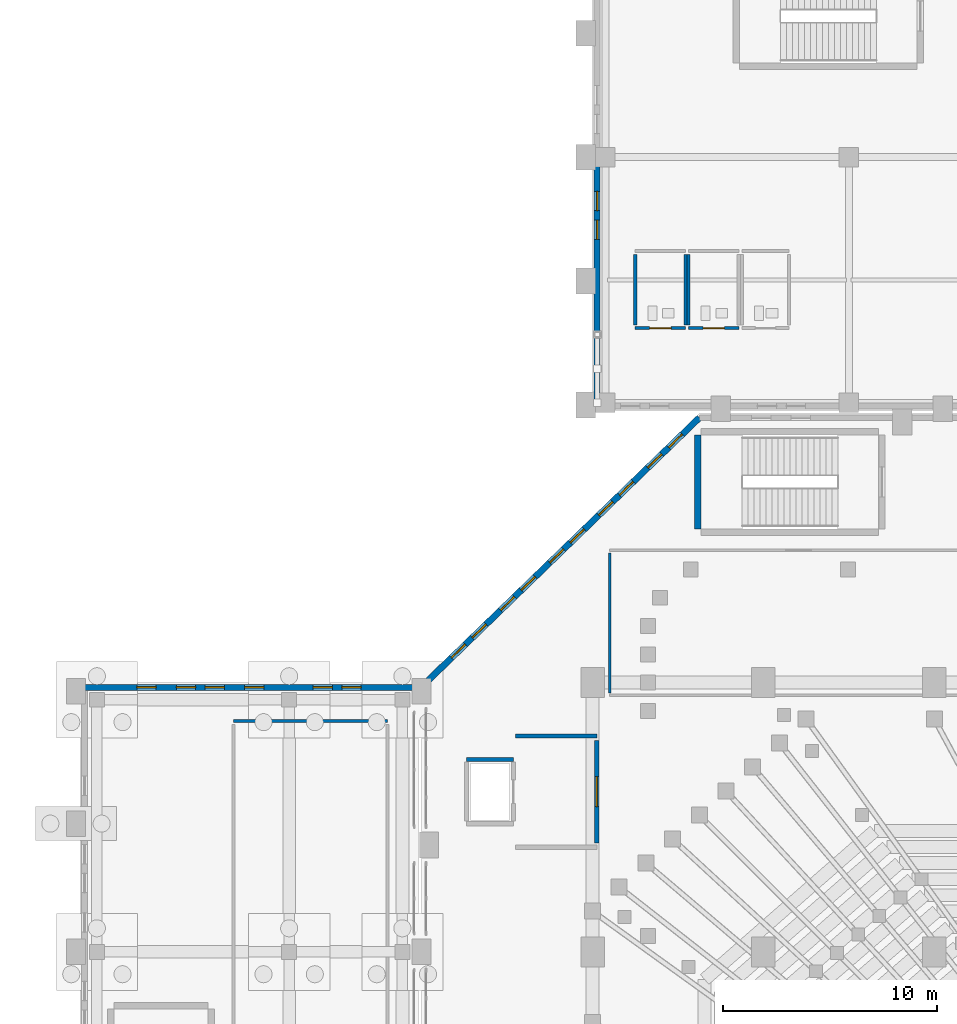
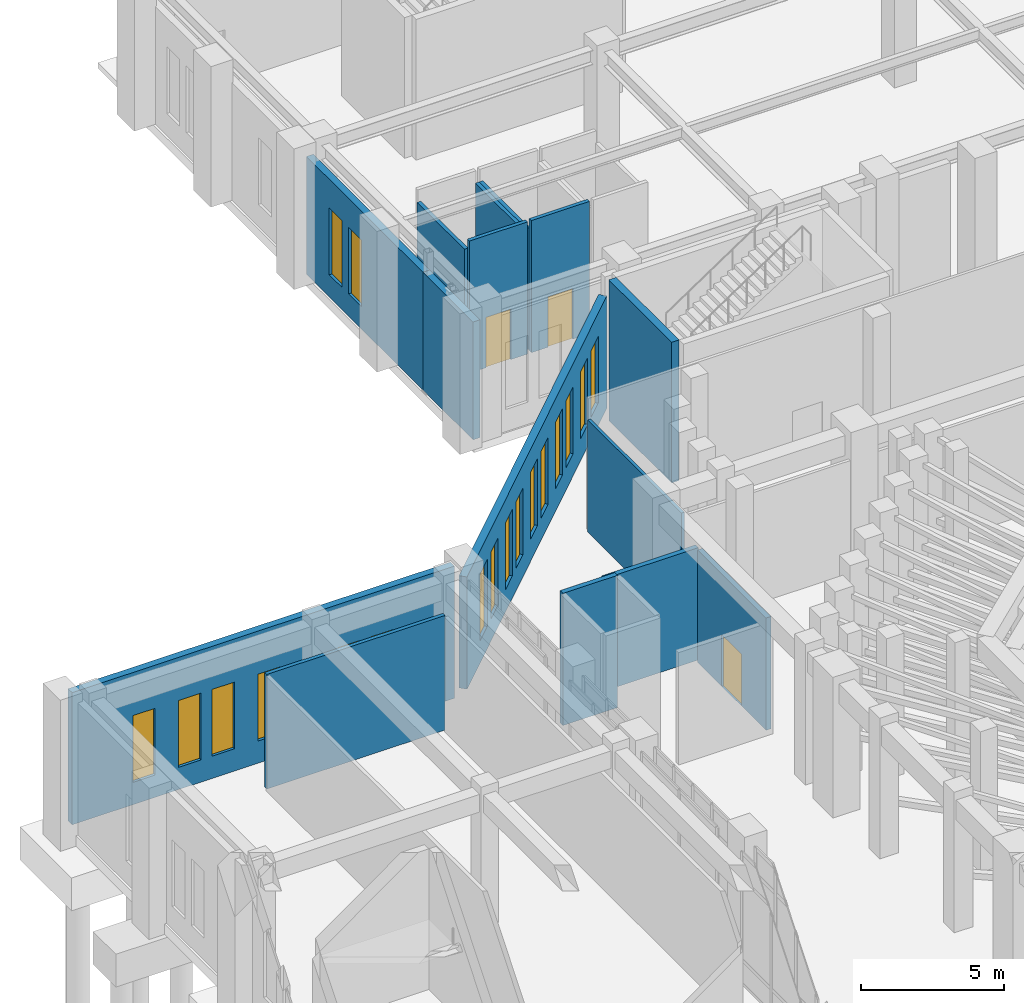
# One storey, part 111 of 143: 18 windows, 15 walls, 3 doors, 21 openings.
"""IFC4 building model written with IfcOpenShell, lengths in metres."""

from ifc_helpers import new_model, si_unit, derived_unit, direction, frame, frame_2d, origin, place, context, subcontext, project, spatial, rectangle, extrude, material, layer, layer_set, type_object, element, fill, save


model = new_model("IFC4")

# Units and contexts
model_context = context("Model", 3, precision=1e-05, world=origin(), true_north=direction((0.0, 1.0)))
body_context = subcontext(model_context, "Body", "Model", "MODEL_VIEW")
ifc_project = project(units=[si_unit("LENGTHUNIT", "METRE"), si_unit("AREAUNIT", "SQUARE_METRE"), si_unit("VOLUMEUNIT", "CUBIC_METRE"), si_unit("PLANEANGLEUNIT", "RADIAN"), si_unit("MASSUNIT", "GRAM", prefix="KILO"), derived_unit("THERMALTRANSMITTANCEUNIT", [(si_unit("MASSUNIT", "GRAM", prefix="KILO"), 1), (si_unit("TIMEUNIT", "SECOND"), -3), (si_unit("THERMODYNAMICTEMPERATUREUNIT", "KELVIN"), -1)])], contexts=[model_context])

# Site, building, storey
site_placement = place(None, origin())
site = spatial("IfcSite", under=ifc_project, at=site_placement, CompositionType="ELEMENT")
building_placement = place(site_placement, origin())
building = spatial("IfcBuilding", under=site, at=building_placement, Name="Valcora Ridge Arena", CompositionType="ELEMENT")
storey_placement = place(building_placement, origin())
storey = spatial("IfcBuildingStorey", under=building, at=storey_placement, Name="L00", CompositionType="ELEMENT", Elevation=0.0)

# Wall
ifc_material_1 = material(Name="Bush-hammered Andean travertine on concrete backup C40/50", Category="masonry")
ifc_layer_1 = layer(ifc_material_1, 0.280029296875, Name="Bush-hammered Andean travertine on concrete backup C40/50")
ifc_layer_set_1 = layer_set([ifc_layer_1], Name="Bush-hammered Andean travertine on concrete backup C40/50")
wall_type_1 = type_object("IfcWallType", Name="TY-WALL-EW-TRV-28-50", PredefinedType="STANDARD", material=ifc_layer_set_1)
wall_1_placement = place(storey_placement, frame((24.219970703125, 108.550048828125, 0.0), z_axis=(0.0, 0.0, 1.0), x_axis=(0.0, 1.0, 0.0)))
element("IfcWall", 1, at=wall_1_placement, inside=storey, type_object=wall_type_1, Name="EW-TRV-28-50 WAL-EW-0126", PredefinedType="STANDARD", context=body_context, shape_type="SweptSolid", body=[
    extrude(rectangle(XDim=3.5, YDim=0.280029296875, at=frame_2d((1.75, 0.0))), origin(), (0.0, 0.0, 1.0), 5.028076171875),
])

# Wall, openings, windows
wall_2_placement = place(storey_placement, frame((24.219970703125, 112.050048828125, 0.0), z_axis=(0.0, 0.0, 1.0), x_axis=(0.0, 1.0, 0.0)))
wall_2 = element("IfcWall", 2, at=wall_2_placement, inside=storey, type_object=wall_type_1, Name="EW-TRV-28-50 WAL-EW-0127", PredefinedType="STANDARD", context=body_context, shape_type="SweptSolid", body=[
    extrude(rectangle(XDim=8.14990234375, YDim=0.280029296875, at=frame_2d((4.074951171875, 0.0))), origin(), (0.0, 0.0, 1.0), 5.028076171875),
])
opening_1_placement = place(wall_2_placement, frame((4.300048828125, 0.0, 0.949951171875)))
opening_1 = element("IfcOpeningElement", 3, at=opening_1_placement, cuts=wall_2, Name="Opening W-GLAN-90X285", PredefinedType="OPENING", context=body_context, shape_type="SweptSolid", body=[
    extrude(rectangle(XDim=0.89990234375, YDim=2.85009765625, at=frame_2d((0.449951171875, 1.425048828125))), frame((0.0, 0.14990234375, 0.0), z_axis=(0.0, -1.0, 0.0), x_axis=(1.0, 0.0, 0.0)), (0.0, 0.0, 1.0), 0.300048828125),
])
opening_2_placement = place(wall_2_placement, frame((5.64990234375, 0.0, 0.949951171875)))
opening_2 = element("IfcOpeningElement", 4, at=opening_2_placement, cuts=wall_2, Name="Opening W-GLAN-90X285", PredefinedType="OPENING", context=body_context, shape_type="SweptSolid", body=[
    extrude(rectangle(XDim=0.89990234375, YDim=2.85009765625, at=frame_2d((0.449951171875, 1.425048828125))), frame((0.0, 0.14990234375, 0.0), z_axis=(0.0, -1.0, 0.0), x_axis=(1.0, 0.0, 0.0)), (0.0, 0.0, 1.0), 0.300048828125),
])
ifc_material_2 = material(Name="Low-iron solar-control double glazing SHGC 0.28", Category="glass")
window_type = type_object("IfcWindowType", Name="TY-WINDOW-W-GLAN-90X285", PartitioningType="DOUBLE_PANEL_VERTICAL", PredefinedType="WINDOW", material=ifc_material_2)
window_1_placement = place(opening_1_placement, origin())
window_1 = element("IfcWindow", 5, at=window_1_placement, inside=storey, type_object=window_type, Name="W-GLAN-90X285 WIN-EX-0376", OverallHeight=2.85009765625, OverallWidth=0.89990234375, PartitioningType="DOUBLE_PANEL_VERTICAL", PredefinedType="WINDOW", context=body_context, shape_type="SweptSolid", body=[
    extrude(rectangle(XDim=0.89990234375, YDim=2.85009765625, at=frame_2d((0.449951171875, 1.425048828125))), frame((0.0, 0.030029296875, 0.0), z_axis=(0.0, -1.0, 0.0), x_axis=(1.0, 0.0, 0.0)), (0.0, 0.0, 1.0), 0.06005859375),
])
fill(opening_1, window_1)
window_2_placement = place(opening_2_placement, origin())
window_2 = element("IfcWindow", 6, at=window_2_placement, inside=storey, type_object=window_type, Name="W-GLAN-90X285 WIN-EX-0377", OverallHeight=2.85009765625, OverallWidth=0.89990234375, PartitioningType="DOUBLE_PANEL_VERTICAL", PredefinedType="WINDOW", context=body_context, shape_type="SweptSolid", body=[
    extrude(rectangle(XDim=0.89990234375, YDim=2.85009765625, at=frame_2d((0.449951171875, 1.425048828125))), frame((0.0, 0.030029296875, 0.0), z_axis=(0.0, -1.0, 0.0), x_axis=(1.0, 0.0, 0.0)), (0.0, 0.0, 1.0), 0.06005859375),
])
fill(opening_2, window_2)

ifc_layer_2 = layer(ifc_material_1, 0.280029296875, Name="Bush-hammered Andean travertine on concrete backup C40/50")
ifc_layer_set_2 = layer_set([ifc_layer_2], Name="Bush-hammered Andean travertine on concrete backup C40/50")
wall_type_2 = type_object("IfcWallType", Name="TY-WALL-EW-TRV-28-56", PredefinedType="STANDARD", material=ifc_layer_set_2)
wall_3_placement = place(storey_placement, frame((0.219970703125, 95.3798828125, 0.0), z_axis=(0.0, 0.0, 1.0), x_axis=(1.0, 0.0, 0.0)))
wall_3 = element("IfcWall", 7, at=wall_3_placement, inside=storey, type_object=wall_type_2, Name="EW-TRV-28-56 WAL-EW-0076", PredefinedType="STANDARD", context=body_context, shape_type="SweptSolid", body=[
    extrude(rectangle(XDim=15.429931640625, YDim=0.280029296875, at=frame_2d((7.71484375, 0.0))), origin(), (0.0, 0.0, 1.0), 5.639892578125),
])
opening_3_placement = place(wall_3_placement, frame((2.449951171875, 0.0, 0.949951171875)))
opening_3 = element("IfcOpeningElement", 8, at=opening_3_placement, cuts=wall_3, Name="Opening W-GLAN-90X285", PredefinedType="OPENING", context=body_context, shape_type="SweptSolid", body=[
    extrude(rectangle(XDim=0.89990234375, YDim=2.85009765625, at=frame_2d((0.449951171875, 1.425048828125))), frame((0.0, 0.14990234375, 0.0), z_axis=(0.0, -1.0, 0.0), x_axis=(1.0, 0.0, 0.0)), (0.0, 0.0, 1.0), 0.300048828125),
])
opening_4_placement = place(wall_3_placement, frame((4.300048828125, 0.0, 0.949951171875)))
opening_4 = element("IfcOpeningElement", 9, at=opening_4_placement, cuts=wall_3, Name="Opening W-GLAN-90X285", PredefinedType="OPENING", context=body_context, shape_type="SweptSolid", body=[
    extrude(rectangle(XDim=0.89990234375, YDim=2.85009765625, at=frame_2d((0.449951171875, 1.425048828125))), frame((0.0, 0.14990234375, 0.0), z_axis=(0.0, -1.0, 0.0), x_axis=(1.0, 0.0, 0.0)), (0.0, 0.0, 1.0), 0.300048828125),
])
opening_5_placement = place(wall_3_placement, frame((5.64990234375, 0.0, 0.949951171875)))
opening_5 = element("IfcOpeningElement", 10, at=opening_5_placement, cuts=wall_3, Name="Opening W-GLAN-90X285", PredefinedType="OPENING", context=body_context, shape_type="SweptSolid", body=[
    extrude(rectangle(XDim=0.89990234375, YDim=2.85009765625, at=frame_2d((0.449951171875, 1.425048828125))), frame((0.0, 0.14990234375, 0.0), z_axis=(0.0, -1.0, 0.0), x_axis=(1.0, 0.0, 0.0)), (0.0, 0.0, 1.0), 0.300048828125),
])
opening_6_placement = place(wall_3_placement, frame((7.5, 0.0, 0.949951171875)))
opening_6 = element("IfcOpeningElement", 11, at=opening_6_placement, cuts=wall_3, Name="Opening W-GLAN-90X285", PredefinedType="OPENING", context=body_context, shape_type="SweptSolid", body=[
    extrude(rectangle(XDim=0.89990234375, YDim=2.85009765625, at=frame_2d((0.449951171875, 1.425048828125))), frame((0.0, 0.14990234375, 0.0), z_axis=(0.0, -1.0, 0.0), x_axis=(1.0, 0.0, 0.0)), (0.0, 0.0, 1.0), 0.300048828125),
])
opening_7_placement = place(wall_3_placement, frame((10.699951171875, 0.0, 0.949951171875)))
opening_7 = element("IfcOpeningElement", 12, at=opening_7_placement, cuts=wall_3, Name="Opening W-GLAN-90X285", PredefinedType="OPENING", context=body_context, shape_type="SweptSolid", body=[
    extrude(rectangle(XDim=0.89990234375, YDim=2.85009765625, at=frame_2d((0.449951171875, 1.425048828125))), frame((0.0, 0.14990234375, 0.0), z_axis=(0.0, -1.0, 0.0), x_axis=(1.0, 0.0, 0.0)), (0.0, 0.0, 1.0), 0.300048828125),
])
opening_8_placement = place(wall_3_placement, frame((12.050048828125, 0.0, 0.949951171875)))
opening_8 = element("IfcOpeningElement", 13, at=opening_8_placement, cuts=wall_3, Name="Opening W-GLAN-90X285", PredefinedType="OPENING", context=body_context, shape_type="SweptSolid", body=[
    extrude(rectangle(XDim=0.89990234375, YDim=2.85009765625, at=frame_2d((0.449951171875, 1.425048828125))), frame((0.0, 0.14990234375, 0.0), z_axis=(0.0, -1.0, 0.0), x_axis=(1.0, 0.0, 0.0)), (0.0, 0.0, 1.0), 0.300048828125),
])
window_3_placement = place(opening_3_placement, origin())
window_3 = element("IfcWindow", 14, at=window_3_placement, inside=storey, type_object=window_type, Name="W-GLAN-90X285 WIN-EX-0201", OverallHeight=2.85009765625, OverallWidth=0.89990234375, PartitioningType="DOUBLE_PANEL_VERTICAL", PredefinedType="WINDOW", context=body_context, shape_type="SweptSolid", body=[
    extrude(rectangle(XDim=0.89990234375, YDim=2.85009765625, at=frame_2d((0.449951171875, 1.425048828125))), frame((0.0, 0.030029296875, 0.0), z_axis=(0.0, -1.0, 0.0), x_axis=(1.0, 0.0, 0.0)), (0.0, 0.0, 1.0), 0.06005859375),
])
fill(opening_3, window_3)
window_4_placement = place(opening_4_placement, origin())
window_4 = element("IfcWindow", 15, at=window_4_placement, inside=storey, type_object=window_type, Name="W-GLAN-90X285 WIN-EX-0202", OverallHeight=2.85009765625, OverallWidth=0.89990234375, PartitioningType="DOUBLE_PANEL_VERTICAL", PredefinedType="WINDOW", context=body_context, shape_type="SweptSolid", body=[
    extrude(rectangle(XDim=0.89990234375, YDim=2.85009765625, at=frame_2d((0.449951171875, 1.425048828125))), frame((0.0, 0.030029296875, 0.0), z_axis=(0.0, -1.0, 0.0), x_axis=(1.0, 0.0, 0.0)), (0.0, 0.0, 1.0), 0.06005859375),
])
fill(opening_4, window_4)
window_5_placement = place(opening_5_placement, origin())
window_5 = element("IfcWindow", 16, at=window_5_placement, inside=storey, type_object=window_type, Name="W-GLAN-90X285 WIN-EX-0203", OverallHeight=2.85009765625, OverallWidth=0.89990234375, PartitioningType="DOUBLE_PANEL_VERTICAL", PredefinedType="WINDOW", context=body_context, shape_type="SweptSolid", body=[
    extrude(rectangle(XDim=0.89990234375, YDim=2.85009765625, at=frame_2d((0.449951171875, 1.425048828125))), frame((0.0, 0.030029296875, 0.0), z_axis=(0.0, -1.0, 0.0), x_axis=(1.0, 0.0, 0.0)), (0.0, 0.0, 1.0), 0.06005859375),
])
fill(opening_5, window_5)
window_6_placement = place(opening_6_placement, origin())
window_6 = element("IfcWindow", 17, at=window_6_placement, inside=storey, type_object=window_type, Name="W-GLAN-90X285 WIN-EX-0204", OverallHeight=2.85009765625, OverallWidth=0.89990234375, PartitioningType="DOUBLE_PANEL_VERTICAL", PredefinedType="WINDOW", context=body_context, shape_type="SweptSolid", body=[
    extrude(rectangle(XDim=0.89990234375, YDim=2.85009765625, at=frame_2d((0.449951171875, 1.425048828125))), frame((0.0, 0.030029296875, 0.0), z_axis=(0.0, -1.0, 0.0), x_axis=(1.0, 0.0, 0.0)), (0.0, 0.0, 1.0), 0.06005859375),
])
fill(opening_6, window_6)
window_7_placement = place(opening_7_placement, origin())
window_7 = element("IfcWindow", 18, at=window_7_placement, inside=storey, type_object=window_type, Name="W-GLAN-90X285 WIN-EX-0205", OverallHeight=2.85009765625, OverallWidth=0.89990234375, PartitioningType="DOUBLE_PANEL_VERTICAL", PredefinedType="WINDOW", context=body_context, shape_type="SweptSolid", body=[
    extrude(rectangle(XDim=0.89990234375, YDim=2.85009765625, at=frame_2d((0.449951171875, 1.425048828125))), frame((0.0, 0.030029296875, 0.0), z_axis=(0.0, -1.0, 0.0), x_axis=(1.0, 0.0, 0.0)), (0.0, 0.0, 1.0), 0.06005859375),
])
fill(opening_7, window_7)
window_8_placement = place(opening_8_placement, origin())
window_8 = element("IfcWindow", 19, at=window_8_placement, inside=storey, type_object=window_type, Name="W-GLAN-90X285 WIN-EX-0206", OverallHeight=2.85009765625, OverallWidth=0.89990234375, PartitioningType="DOUBLE_PANEL_VERTICAL", PredefinedType="WINDOW", context=body_context, shape_type="SweptSolid", body=[
    extrude(rectangle(XDim=0.89990234375, YDim=2.85009765625, at=frame_2d((0.449951171875, 1.425048828125))), frame((0.0, 0.030029296875, 0.0), z_axis=(0.0, -1.0, 0.0), x_axis=(1.0, 0.0, 0.0)), (0.0, 0.0, 1.0), 0.06005859375),
])
fill(opening_8, window_8)

ifc_layer_3 = layer(ifc_material_1, 0.300048828125, Name="Bush-hammered Andean travertine on concrete backup C40/50")
ifc_layer_set_3 = layer_set([ifc_layer_3], Name="Bush-hammered Andean travertine on concrete backup C40/50")
wall_type_3 = type_object("IfcWallType", Name="TY-WALL-EW-TRV-30-48", PredefinedType="STANDARD", material=ifc_layer_set_3)
wall_4_placement = place(storey_placement, frame((29.0, 108.0, 0.0), z_axis=(0.0, 0.0, 1.0), x_axis=(-0.718244287729, -0.695791019736, 0.0)))
wall_4 = element("IfcWall", 20, at=wall_4_placement, inside=storey, type_object=wall_type_3, Name="EW-TRV-30-48 WAL-EW-0028", PredefinedType="STANDARD", context=body_context, shape_type="SweptSolid", body=[
    extrude(rectangle(XDim=17.8212890625, YDim=0.300048828125, at=frame_2d((8.91064453125, 0.0))), origin(), (0.0, 0.0, 1.0), 4.7900390625),
])
opening_9_placement = place(wall_4_placement, frame((1.10009765625, 0.0, 0.949951171875)))
opening_9 = element("IfcOpeningElement", 21, at=opening_9_placement, cuts=wall_4, Name="Opening W-GLAN-90X285", PredefinedType="OPENING", context=body_context, shape_type="SweptSolid", body=[
    extrude(rectangle(XDim=0.89990234375, YDim=2.85009765625, at=frame_2d((0.449951171875, 1.425048828125))), frame((0.0, 0.159912109375, 0.0), z_axis=(0.0, -1.0, 0.0), x_axis=(1.0, 0.0, 0.0)), (0.0, 0.0, 1.0), 0.320068359375),
])
opening_10_placement = place(wall_4_placement, frame((2.449951171875, 0.0, 0.949951171875)))
opening_10 = element("IfcOpeningElement", 22, at=opening_10_placement, cuts=wall_4, Name="Opening W-GLAN-90X285", PredefinedType="OPENING", context=body_context, shape_type="SweptSolid", body=[
    extrude(rectangle(XDim=0.89990234375, YDim=2.85009765625, at=frame_2d((0.449951171875, 1.425048828125))), frame((0.0, 0.159912109375, 0.0), z_axis=(0.0, -1.0, 0.0), x_axis=(1.0, 0.0, 0.0)), (0.0, 0.0, 1.0), 0.320068359375),
])
opening_11_placement = place(wall_4_placement, frame((4.300048828125, 0.0, 0.949951171875)))
opening_11 = element("IfcOpeningElement", 23, at=opening_11_placement, cuts=wall_4, Name="Opening W-GLAN-90X285", PredefinedType="OPENING", context=body_context, shape_type="SweptSolid", body=[
    extrude(rectangle(XDim=0.89990234375, YDim=2.85009765625, at=frame_2d((0.449951171875, 1.425048828125))), frame((0.0, 0.159912109375, 0.0), z_axis=(0.0, -1.0, 0.0), x_axis=(1.0, 0.0, 0.0)), (0.0, 0.0, 1.0), 0.320068359375),
])
opening_12_placement = place(wall_4_placement, frame((5.64990234375, 0.0, 0.949951171875)))
opening_12 = element("IfcOpeningElement", 24, at=opening_12_placement, cuts=wall_4, Name="Opening W-GLAN-90X285", PredefinedType="OPENING", context=body_context, shape_type="SweptSolid", body=[
    extrude(rectangle(XDim=0.89990234375, YDim=2.85009765625, at=frame_2d((0.449951171875, 1.425048828125))), frame((0.0, 0.159912109375, 0.0), z_axis=(0.0, -1.0, 0.0), x_axis=(1.0, 0.0, 0.0)), (0.0, 0.0, 1.0), 0.320068359375),
])
opening_13_placement = place(wall_4_placement, frame((7.5, 0.0, 0.949951171875)))
opening_13 = element("IfcOpeningElement", 25, at=opening_13_placement, cuts=wall_4, Name="Opening W-GLAN-90X285", PredefinedType="OPENING", context=body_context, shape_type="SweptSolid", body=[
    extrude(rectangle(XDim=0.89990234375, YDim=2.85009765625, at=frame_2d((0.449951171875, 1.425048828125))), frame((0.0, 0.159912109375, 0.0), z_axis=(0.0, -1.0, 0.0), x_axis=(1.0, 0.0, 0.0)), (0.0, 0.0, 1.0), 0.320068359375),
])
opening_14_placement = place(wall_4_placement, frame((8.85009765625, 0.0, 0.949951171875)))
opening_14 = element("IfcOpeningElement", 26, at=opening_14_placement, cuts=wall_4, Name="Opening W-GLAN-90X285", PredefinedType="OPENING", context=body_context, shape_type="SweptSolid", body=[
    extrude(rectangle(XDim=0.89990234375, YDim=2.85009765625, at=frame_2d((0.449951171875, 1.425048828125))), frame((0.0, 0.159912109375, 0.0), z_axis=(0.0, -1.0, 0.0), x_axis=(1.0, 0.0, 0.0)), (0.0, 0.0, 1.0), 0.320068359375),
])
opening_15_placement = place(wall_4_placement, frame((10.699951171875, 0.0, 0.949951171875)))
opening_15 = element("IfcOpeningElement", 27, at=opening_15_placement, cuts=wall_4, Name="Opening W-GLAN-90X285", PredefinedType="OPENING", context=body_context, shape_type="SweptSolid", body=[
    extrude(rectangle(XDim=0.89990234375, YDim=2.85009765625, at=frame_2d((0.449951171875, 1.425048828125))), frame((0.0, 0.159912109375, 0.0), z_axis=(0.0, -1.0, 0.0), x_axis=(1.0, 0.0, 0.0)), (0.0, 0.0, 1.0), 0.320068359375),
])
opening_16_placement = place(wall_4_placement, frame((12.050048828125, 0.0, 0.949951171875)))
opening_16 = element("IfcOpeningElement", 28, at=opening_16_placement, cuts=wall_4, Name="Opening W-GLAN-90X285", PredefinedType="OPENING", context=body_context, shape_type="SweptSolid", body=[
    extrude(rectangle(XDim=0.89990234375, YDim=2.85009765625, at=frame_2d((0.449951171875, 1.425048828125))), frame((0.0, 0.159912109375, 0.0), z_axis=(0.0, -1.0, 0.0), x_axis=(1.0, 0.0, 0.0)), (0.0, 0.0, 1.0), 0.320068359375),
])
opening_17_placement = place(wall_4_placement, frame((13.89990234375, 0.0, 0.949951171875)))
opening_17 = element("IfcOpeningElement", 29, at=opening_17_placement, cuts=wall_4, Name="Opening W-GLAN-90X285", PredefinedType="OPENING", context=body_context, shape_type="SweptSolid", body=[
    extrude(rectangle(XDim=0.89990234375, YDim=2.85009765625, at=frame_2d((0.449951171875, 1.425048828125))), frame((0.0, 0.159912109375, 0.0), z_axis=(0.0, -1.0, 0.0), x_axis=(1.0, 0.0, 0.0)), (0.0, 0.0, 1.0), 0.320068359375),
])
opening_18_placement = place(wall_4_placement, frame((15.25, 0.0, 0.949951171875)))
opening_18 = element("IfcOpeningElement", 30, at=opening_18_placement, cuts=wall_4, Name="Opening W-GLAN-90X285", PredefinedType="OPENING", context=body_context, shape_type="SweptSolid", body=[
    extrude(rectangle(XDim=0.89990234375, YDim=2.85009765625, at=frame_2d((0.449951171875, 1.425048828125))), frame((0.0, 0.159912109375, 0.0), z_axis=(0.0, -1.0, 0.0), x_axis=(1.0, 0.0, 0.0)), (0.0, 0.0, 1.0), 0.320068359375),
])
window_9_placement = place(opening_9_placement, origin())
window_9 = element("IfcWindow", 31, at=window_9_placement, inside=storey, type_object=window_type, Name="W-GLAN-90X285 WIN-EX-0040", OverallHeight=2.85009765625, OverallWidth=0.89990234375, PartitioningType="DOUBLE_PANEL_VERTICAL", PredefinedType="WINDOW", context=body_context, shape_type="SweptSolid", body=[
    extrude(rectangle(XDim=0.89990234375, YDim=2.85009765625, at=frame_2d((0.449951171875, 1.425048828125))), frame((0.0, 0.030029296875, 0.0), z_axis=(0.0, -1.0, 0.0), x_axis=(1.0, 0.0, 0.0)), (0.0, 0.0, 1.0), 0.06005859375),
])
fill(opening_9, window_9)
window_10_placement = place(opening_10_placement, origin())
window_10 = element("IfcWindow", 32, at=window_10_placement, inside=storey, type_object=window_type, Name="W-GLAN-90X285 WIN-EX-0041", OverallHeight=2.85009765625, OverallWidth=0.89990234375, PartitioningType="DOUBLE_PANEL_VERTICAL", PredefinedType="WINDOW", context=body_context, shape_type="SweptSolid", body=[
    extrude(rectangle(XDim=0.89990234375, YDim=2.85009765625, at=frame_2d((0.449951171875, 1.425048828125))), frame((0.0, 0.030029296875, 0.0), z_axis=(0.0, -1.0, 0.0), x_axis=(1.0, 0.0, 0.0)), (0.0, 0.0, 1.0), 0.06005859375),
])
fill(opening_10, window_10)
window_11_placement = place(opening_11_placement, origin())
window_11 = element("IfcWindow", 33, at=window_11_placement, inside=storey, type_object=window_type, Name="W-GLAN-90X285 WIN-EX-0042", OverallHeight=2.85009765625, OverallWidth=0.89990234375, PartitioningType="DOUBLE_PANEL_VERTICAL", PredefinedType="WINDOW", context=body_context, shape_type="SweptSolid", body=[
    extrude(rectangle(XDim=0.89990234375, YDim=2.85009765625, at=frame_2d((0.449951171875, 1.425048828125))), frame((0.0, 0.030029296875, 0.0), z_axis=(0.0, -1.0, 0.0), x_axis=(1.0, 0.0, 0.0)), (0.0, 0.0, 1.0), 0.06005859375),
])
fill(opening_11, window_11)
window_12_placement = place(opening_12_placement, origin())
window_12 = element("IfcWindow", 34, at=window_12_placement, inside=storey, type_object=window_type, Name="W-GLAN-90X285 WIN-EX-0043", OverallHeight=2.85009765625, OverallWidth=0.89990234375, PartitioningType="DOUBLE_PANEL_VERTICAL", PredefinedType="WINDOW", context=body_context, shape_type="SweptSolid", body=[
    extrude(rectangle(XDim=0.89990234375, YDim=2.85009765625, at=frame_2d((0.449951171875, 1.425048828125))), frame((0.0, 0.030029296875, 0.0), z_axis=(0.0, -1.0, 0.0), x_axis=(1.0, 0.0, 0.0)), (0.0, 0.0, 1.0), 0.06005859375),
])
fill(opening_12, window_12)
window_13_placement = place(opening_13_placement, origin())
window_13 = element("IfcWindow", 35, at=window_13_placement, inside=storey, type_object=window_type, Name="W-GLAN-90X285 WIN-EX-0044", OverallHeight=2.85009765625, OverallWidth=0.89990234375, PartitioningType="DOUBLE_PANEL_VERTICAL", PredefinedType="WINDOW", context=body_context, shape_type="SweptSolid", body=[
    extrude(rectangle(XDim=0.89990234375, YDim=2.85009765625, at=frame_2d((0.449951171875, 1.425048828125))), frame((0.0, 0.030029296875, 0.0), z_axis=(0.0, -1.0, 0.0), x_axis=(1.0, 0.0, 0.0)), (0.0, 0.0, 1.0), 0.06005859375),
])
fill(opening_13, window_13)
window_14_placement = place(opening_14_placement, origin())
window_14 = element("IfcWindow", 36, at=window_14_placement, inside=storey, type_object=window_type, Name="W-GLAN-90X285 WIN-EX-0045", OverallHeight=2.85009765625, OverallWidth=0.89990234375, PartitioningType="DOUBLE_PANEL_VERTICAL", PredefinedType="WINDOW", context=body_context, shape_type="SweptSolid", body=[
    extrude(rectangle(XDim=0.89990234375, YDim=2.85009765625, at=frame_2d((0.449951171875, 1.425048828125))), frame((0.0, 0.030029296875, 0.0), z_axis=(0.0, -1.0, 0.0), x_axis=(1.0, 0.0, 0.0)), (0.0, 0.0, 1.0), 0.06005859375),
])
fill(opening_14, window_14)
window_15_placement = place(opening_15_placement, origin())
window_15 = element("IfcWindow", 37, at=window_15_placement, inside=storey, type_object=window_type, Name="W-GLAN-90X285 WIN-EX-0046", OverallHeight=2.85009765625, OverallWidth=0.89990234375, PartitioningType="DOUBLE_PANEL_VERTICAL", PredefinedType="WINDOW", context=body_context, shape_type="SweptSolid", body=[
    extrude(rectangle(XDim=0.89990234375, YDim=2.85009765625, at=frame_2d((0.449951171875, 1.425048828125))), frame((0.0, 0.030029296875, 0.0), z_axis=(0.0, -1.0, 0.0), x_axis=(1.0, 0.0, 0.0)), (0.0, 0.0, 1.0), 0.06005859375),
])
fill(opening_15, window_15)
window_16_placement = place(opening_16_placement, origin())
window_16 = element("IfcWindow", 38, at=window_16_placement, inside=storey, type_object=window_type, Name="W-GLAN-90X285 WIN-EX-0047", OverallHeight=2.85009765625, OverallWidth=0.89990234375, PartitioningType="DOUBLE_PANEL_VERTICAL", PredefinedType="WINDOW", context=body_context, shape_type="SweptSolid", body=[
    extrude(rectangle(XDim=0.89990234375, YDim=2.85009765625, at=frame_2d((0.449951171875, 1.425048828125))), frame((0.0, 0.030029296875, 0.0), z_axis=(0.0, -1.0, 0.0), x_axis=(1.0, 0.0, 0.0)), (0.0, 0.0, 1.0), 0.06005859375),
])
fill(opening_16, window_16)
window_17_placement = place(opening_17_placement, origin())
window_17 = element("IfcWindow", 39, at=window_17_placement, inside=storey, type_object=window_type, Name="W-GLAN-90X285 WIN-EX-0048", OverallHeight=2.85009765625, OverallWidth=0.89990234375, PartitioningType="DOUBLE_PANEL_VERTICAL", PredefinedType="WINDOW", context=body_context, shape_type="SweptSolid", body=[
    extrude(rectangle(XDim=0.89990234375, YDim=2.85009765625, at=frame_2d((0.449951171875, 1.425048828125))), frame((0.0, 0.030029296875, 0.0), z_axis=(0.0, -1.0, 0.0), x_axis=(1.0, 0.0, 0.0)), (0.0, 0.0, 1.0), 0.06005859375),
])
fill(opening_17, window_17)
window_18_placement = place(opening_18_placement, origin())
window_18 = element("IfcWindow", 40, at=window_18_placement, inside=storey, type_object=window_type, Name="W-GLAN-90X285 WIN-EX-0049", OverallHeight=2.85009765625, OverallWidth=0.89990234375, PartitioningType="DOUBLE_PANEL_VERTICAL", PredefinedType="WINDOW", context=body_context, shape_type="SweptSolid", body=[
    extrude(rectangle(XDim=0.89990234375, YDim=2.85009765625, at=frame_2d((0.449951171875, 1.425048828125))), frame((0.0, 0.030029296875, 0.0), z_axis=(0.0, -1.0, 0.0), x_axis=(1.0, 0.0, 0.0)), (0.0, 0.0, 1.0), 0.06005859375),
])
fill(opening_18, window_18)

# Wall, opening, door
ifc_material_3 = material(Name="Fire-rated masonry-core compartment wall C35/45 150 mm", Category="masonry")
ifc_layer_4 = layer(ifc_material_3, 0.14990234375, Name="Fire-rated masonry-core compartment wall C35/45 150 mm")
ifc_layer_set_4 = layer_set([ifc_layer_4], Name="Fire-rated masonry-core compartment wall C35/45 150 mm")
wall_type_4 = type_object("IfcWallType", Name="TY-WALL-IW-COMP-150", PredefinedType="STANDARD", material=ifc_layer_set_4)
wall_5_placement = place(storey_placement, frame((26.0, 112.199951171875, 0.0), z_axis=(0.0, 0.0, 1.0), x_axis=(1.0, 0.0, 0.0)))
wall_5 = element("IfcWall", 41, at=wall_5_placement, inside=storey, type_object=wall_type_4, Name="IW-COMP-150 WAL-IN-0071", PredefinedType="STANDARD", context=body_context, shape_type="SweptSolid", body=[
    extrude(rectangle(XDim=2.35009765625, YDim=0.14990234375, at=frame_2d((1.175048828125, 0.0))), origin(), (0.0, 0.0, 1.0), 5.639892578125),
])
opening_19_placement = place(wall_5_placement, frame((0.675048828125, 0.0, 0.0)))
opening_19 = element("IfcOpeningElement", 42, at=opening_19_placement, cuts=wall_5, Name="Opening D-WC-1000", PredefinedType="OPENING", context=body_context, shape_type="SweptSolid", body=[
    extrude(rectangle(XDim=1.0, YDim=2.14990234375, at=frame_2d((0.5, 1.074951171875))), frame((0.0, 0.0849609375, 0.0), z_axis=(0.0, -1.0, 0.0), x_axis=(1.0, 0.0, 0.0)), (0.0, 0.0, 1.0), 0.169921875),
])
ifc_material_4 = material(Name="Insulated fire-rated steel door leaf", Category="steel")
door_type_1 = type_object("IfcDoorType", Name="TY-DOOR-D-WC-1000", OperationType="NOTDEFINED", PredefinedType="DOOR", material=ifc_material_4)
door_1_placement = place(opening_19_placement, origin())
door_1 = element("IfcDoor", 43, at=door_1_placement, inside=storey, type_object=door_type_1, Name="D-WC-1000 DOR-IN-0022", OperationType="SINGLE_SWING_RIGHT", OverallHeight=2.14990234375, OverallWidth=1.0, PredefinedType="DOOR", context=body_context, shape_type="SweptSolid", body=[
    extrude(rectangle(XDim=1.0, YDim=2.14990234375, at=frame_2d((0.5, 1.074951171875))), frame((0.0, 0.02490234375, 0.0), z_axis=(0.0, -1.0, 0.0), x_axis=(1.0, 0.0, 0.0)), (0.0, 0.0, 1.0), 0.050048828125),
])
fill(opening_19, door_1)

# Walls
for number, where, z_axis, x_axis, name in (
    (44, (26.0, 112.35009765625, 0.0), (0.0, 0.0, 1.0), (0.0, 1.0, 0.0), "IW-COMP-150 WAL-IN-0073"),
    (45, (28.35009765625, 112.35009765625, 0.0), (0.0, 0.0, 1.0), (0.0, 1.0, 0.0), "IW-COMP-150 WAL-IN-0074"),
):
    element("IfcWall", number, at=place(storey_placement, frame(where, z_axis=z_axis, x_axis=x_axis)), inside=storey, type_object=wall_type_4, Name=name, PredefinedType="STANDARD", context=body_context, shape_type="SweptSolid", body=[
        extrude(rectangle(XDim=3.2998046875, YDim=0.14990234375, at=frame_2d((1.64990234375, 0.0))), origin(), (0.0, 0.0, 1.0), 5.18310546875),
    ])

# Wall, opening, door
wall_6_placement = place(storey_placement, frame((28.5, 112.199951171875, 0.0), z_axis=(0.0, 0.0, 1.0), x_axis=(1.0, 0.0, 0.0)))
wall_6 = element("IfcWall", 46, at=wall_6_placement, inside=storey, type_object=wall_type_4, Name="IW-COMP-150 WAL-IN-0075", PredefinedType="STANDARD", context=body_context, shape_type="SweptSolid", body=[
    extrude(rectangle(XDim=2.35009765625, YDim=0.14990234375, at=frame_2d((1.175048828125, 0.0))), origin(), (0.0, 0.0, 1.0), 5.639892578125),
])
opening_20_placement = place(wall_6_placement, frame((0.675048828125, 0.0, 0.0)))
opening_20 = element("IfcOpeningElement", 47, at=opening_20_placement, cuts=wall_6, Name="Opening D-WC-1000", PredefinedType="OPENING", context=body_context, shape_type="SweptSolid", body=[
    extrude(rectangle(XDim=1.0, YDim=2.14990234375, at=frame_2d((0.5, 1.074951171875))), frame((0.0, 0.0849609375, 0.0), z_axis=(0.0, -1.0, 0.0), x_axis=(1.0, 0.0, 0.0)), (0.0, 0.0, 1.0), 0.169921875),
])
door_2_placement = place(opening_20_placement, origin())
door_2 = element("IfcDoor", 48, at=door_2_placement, inside=storey, type_object=door_type_1, Name="D-WC-1000 DOR-IN-0023", OperationType="SINGLE_SWING_LEFT", OverallHeight=2.14990234375, OverallWidth=1.0, PredefinedType="DOOR", context=body_context, shape_type="SweptSolid", body=[
    extrude(rectangle(XDim=1.0, YDim=2.14990234375, at=frame_2d((0.5, 1.074951171875))), frame((0.0, 0.02490234375, 0.0), z_axis=(0.0, -1.0, 0.0), x_axis=(1.0, 0.0, 0.0)), (0.0, 0.0, 1.0), 0.050048828125),
])
fill(opening_20, door_2)

# Walls
wall_7_placement = place(storey_placement, frame((28.5, 112.35009765625, 0.0), z_axis=(0.0, 0.0, 1.0), x_axis=(0.0, 1.0, 0.0)))
element("IfcWall", 49, at=wall_7_placement, inside=storey, type_object=wall_type_4, Name="IW-COMP-150 WAL-IN-0077", PredefinedType="STANDARD", context=body_context, shape_type="SweptSolid", body=[
    extrude(rectangle(XDim=3.2998046875, YDim=0.14990234375, at=frame_2d((1.64990234375, 0.0))), origin(), (0.0, 0.0, 1.0), 5.18310546875),
])
wall_8_placement = place(storey_placement, frame((7.199951171875, 93.800048828125, 0.0), z_axis=(0.0, 0.0, 1.0), x_axis=(1.0, 0.0, 0.0)))
element("IfcWall", 50, at=wall_8_placement, inside=storey, type_object=wall_type_4, Name="IW-COMP-150 WAL-IN-0270", PredefinedType="STANDARD", context=body_context, shape_type="SweptSolid", body=[
    extrude(rectangle(XDim=7.199951171875, YDim=0.14990234375, at=frame_2d((3.60009765625, 0.0))), origin(), (0.0, 0.0, 1.0), 4.889892578125),
])
ifc_material_5 = material(Name="Fire-resisting reinforced concrete enclosure C40/50 200 mm", Category="concrete")
ifc_layer_5 = layer(ifc_material_5, 0.199951171875, Name="Fire-resisting reinforced concrete enclosure C40/50 200 mm")
ifc_layer_set_5 = layer_set([ifc_layer_5], Name="Fire-resisting reinforced concrete enclosure C40/50 200 mm")
wall_type_5 = type_object("IfcWallType", Name="TY-WALL-IW-FIRE-200", PredefinedType="STANDARD", material=ifc_layer_set_5)
wall_9_placement = place(storey_placement, frame((20.39990234375, 93.10009765625, 0.0), z_axis=(0.0, 0.0, 1.0), x_axis=(1.0, 0.0, 0.0)))
element("IfcWall", 51, at=wall_9_placement, inside=storey, type_object=wall_type_5, Name="IW-FIRE-200 WAL-IN-0026", PredefinedType="STANDARD", context=body_context, shape_type="SweptSolid", body=[
    extrude(rectangle(XDim=3.800048828125, YDim=0.199951171875, at=frame_2d((1.89990234375, 0.0))), origin(), (0.0, 0.0, 1.0), 4.7900390625),
])

# Wall, opening, door
wall_10_placement = place(storey_placement, frame((24.199951171875, 88.10009765625, 0.0), z_axis=(0.0, 0.0, 1.0), x_axis=(0.0, 1.0, 0.0)))
wall_10 = element("IfcWall", 52, at=wall_10_placement, inside=storey, type_object=wall_type_5, Name="IW-FIRE-200 WAL-IN-0027", PredefinedType="STANDARD", context=body_context, shape_type="SweptSolid", body=[
    extrude(rectangle(XDim=4.7998046875, YDim=0.199951171875, at=frame_2d((2.39990234375, 0.0))), origin(), (0.0, 0.0, 1.0), 4.7900390625),
])
opening_21_placement = place(wall_10_placement, frame((1.699951171875, 0.0, 0.0)))
opening_21 = element("IfcOpeningElement", 53, at=opening_21_placement, cuts=wall_10, Name="Opening FD-FFL-1400", PredefinedType="OPENING", context=body_context, shape_type="SweptSolid", body=[
    extrude(rectangle(XDim=1.39990234375, YDim=2.199951171875, at=frame_2d((0.699951171875, 1.10009765625))), frame((0.0, 0.10986328125, 0.0), z_axis=(0.0, -1.0, 0.0), x_axis=(1.0, 0.0, 0.0)), (0.0, 0.0, 1.0), 0.219970703125),
])
door_type_2 = type_object("IfcDoorType", Name="TY-DOOR-FD-FFL-1400", OperationType="NOTDEFINED", PredefinedType="DOOR", material=ifc_material_4)
door_3_placement = place(opening_21_placement, origin())
door_3 = element("IfcDoor", 54, at=door_3_placement, inside=storey, type_object=door_type_2, Name="FD-FFL-1400 DOR-IN-0009", OperationType="DOUBLE_DOOR_SINGLE_SWING", OverallHeight=2.199951171875, OverallWidth=1.39990234375, PredefinedType="DOOR", context=body_context, shape_type="SweptSolid", body=[
    extrude(rectangle(XDim=1.39990234375, YDim=2.199951171875, at=frame_2d((0.699951171875, 1.10009765625))), frame((0.0, 0.02490234375, 0.0), z_axis=(0.0, -1.0, 0.0), x_axis=(1.0, 0.0, 0.0)), (0.0, 0.0, 1.0), 0.050048828125),
])
fill(opening_21, door_3)

# Walls
ifc_material_6 = material(Name="Acoustic metal-stud gypsum partition 120 mm")
ifc_layer_6 = layer(ifc_material_6, 0.1201171875, Name="Acoustic metal-stud gypsum partition 120 mm")
ifc_layer_set_6 = layer_set([ifc_layer_6], Name="Acoustic metal-stud gypsum partition 120 mm")
wall_type_6 = type_object("IfcWallType", Name="TY-WALL-IW-PART-120", PredefinedType="PARTITIONING", material=ifc_layer_set_6)
wall_11_placement = place(storey_placement, frame((24.800048828125, 95.1201171875, 0.0), z_axis=(0.0, 0.0, 1.0), x_axis=(0.0, 1.0, 0.0)))
element("IfcWall", 55, at=wall_11_placement, inside=storey, type_object=wall_type_6, Name="IW-PART-120 WAL-IN-0217", PredefinedType="PARTITIONING", context=body_context, shape_type="SweptSolid", body=[
    extrude(rectangle(XDim=6.559814453125, YDim=0.1201171875, at=frame_2d((3.27978515625, 0.0))), origin(), (0.0, 0.0, 1.0), 4.7900390625),
])
ifc_material_7 = material(Name="Concrete C40/50", Category="concrete")
ifc_layer_7 = layer(ifc_material_7, 0.199951171875, Name="Concrete C40/50")
ifc_layer_set_7 = layer_set([ifc_layer_7], Name="Concrete C40/50")
wall_type_7 = type_object("IfcWallType", Name="TY-WALL-IW-SHF-200", PredefinedType="STANDARD", material=ifc_layer_set_7)
wall_12_placement = place(storey_placement, frame((18.10009765625, 92.0, 0.0), z_axis=(0.0, 0.0, 1.0), x_axis=(1.0, 0.0, 0.0)))
element("IfcWall", 56, at=wall_12_placement, inside=storey, type_object=wall_type_7, Name="IW-SHF-200 WAL-SH-0034", PredefinedType="STANDARD", context=body_context, shape_type="SweptSolid", body=[
    extrude(rectangle(XDim=2.199951171875, YDim=0.199951171875, at=frame_2d((1.10009765625, 0.0))), origin(), (0.0, 0.0, 1.0), 5.639892578125),
])
ifc_material_8 = material(Name="Concrete C45/55", Category="concrete")
ifc_layer_8 = layer(ifc_material_8, 0.300048828125, Name="Concrete C45/55")
ifc_layer_set_8 = layer_set([ifc_layer_8], Name="Concrete C45/55")
wall_type_8 = type_object("IfcWallType", Name="TY-WALL-SW-C300-S", PredefinedType="SHEAR", material=ifc_layer_set_8)
wall_13_placement = place(storey_placement, frame((28.929931640625, 102.800048828125, 0.0), z_axis=(0.0, 0.0, 1.0), x_axis=(0.0, 1.0, 0.0)))
element("IfcWall", 57, at=wall_13_placement, inside=storey, type_object=wall_type_8, Name="SW-C300-S WAL-CR-0059", PredefinedType="SHEAR", context=body_context, shape_type="SweptSolid", body=[
    extrude(rectangle(XDim=4.39990234375, YDim=0.300048828125, at=frame_2d((2.199951171875, 0.0))), origin(), (0.0, 0.0, 1.0), 6.0),
])

save(model, "model.ifc")
